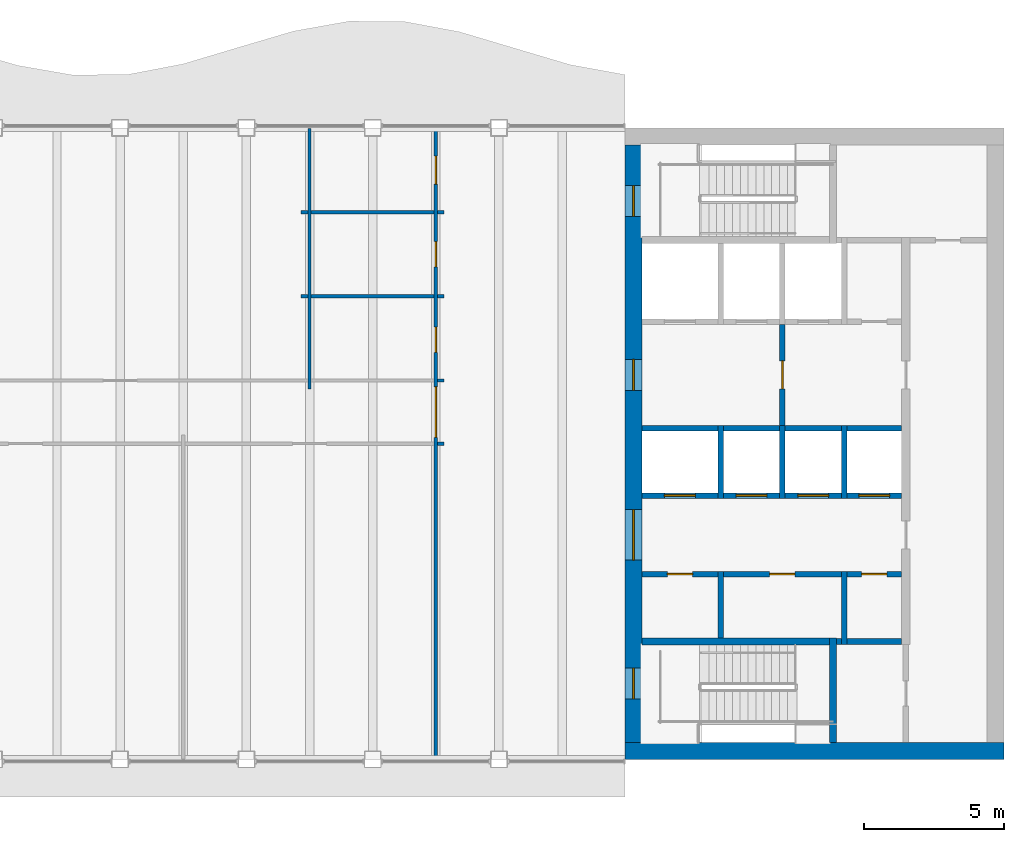
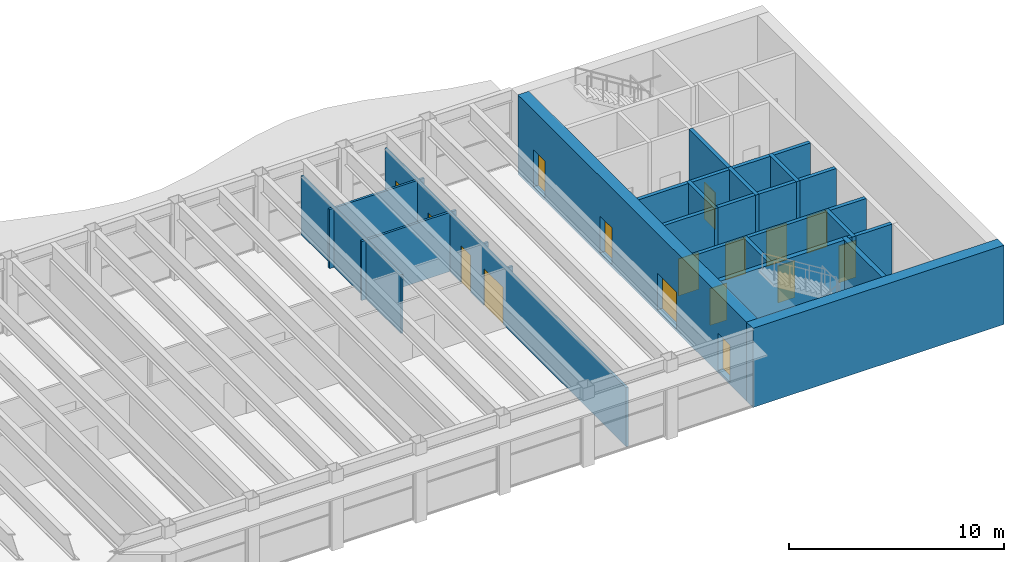
# One storey, part 10 of 15: 33 walls, 16 doors, 16 openings.
"""IFC4 building model written with IfcOpenShell, lengths in metres."""

from ifc_helpers import new_model, si_unit, direction, frame, frame_2d, origin, place, context, subcontext, project, spatial, rectangle, extrude, material, layer, layer_set, type_object, element, fill, save


model = new_model("IFC4")

# Units and contexts
model_context = context("Model", 3, precision=1e-05, world=origin(), true_north=direction((0.0, 1.0)))
body_context = subcontext(model_context, "Body", "Model", "MODEL_VIEW")
ifc_project = project(units=[si_unit("LENGTHUNIT", "METRE"), si_unit("AREAUNIT", "SQUARE_METRE"), si_unit("VOLUMEUNIT", "CUBIC_METRE"), si_unit("PLANEANGLEUNIT", "RADIAN"), si_unit("MASSUNIT", "GRAM", prefix="KILO")], contexts=[model_context])

# Site, building, storey
site_placement = place(None, origin())
site = spatial("IfcSite", under=ifc_project, at=site_placement, CompositionType="ELEMENT")
building_placement = place(site_placement, origin())
building = spatial("IfcBuilding", under=site, at=building_placement, Name="Sennacour Bend Tower", CompositionType="ELEMENT")
storey_placement = place(building_placement, frame((0.0, 0.0, 323.0)))
storey = spatial("IfcBuildingStorey", under=building, at=storey_placement, Name="L74", CompositionType="ELEMENT", Elevation=323.0)

# Wall
ifc_material_1 = material(Name="Concrete C50/60", Category="concrete")
ifc_layer_1 = layer(ifc_material_1, 0.60009765625, Name="Concrete C50/60", Category="concrete")
ifc_layer_set_1 = layer_set([ifc_layer_1], Name="Concrete C50/60")
wall_type_1 = type_object("IfcWallType", Name="Core wall 600 C50/60", PredefinedType="SHEAR", material=ifc_layer_set_1)
wall_1_placement = place(storey_placement, frame((67.5, 0.300048828125, -0.14990234375), z_axis=(0.0, 0.0, 1.0), x_axis=(-1.0, 0.0, 0.0)))
element("IfcWall", 1, at=wall_1_placement, inside=storey, type_object=wall_type_1, Name="Core A wall L74 S", PredefinedType="SHEAR", context=body_context, shape_type="SweptSolid", body=[
    extrude(rectangle(XDim=13.5, YDim=0.60009765625, at=frame_2d((6.75, 0.0))), origin(), (0.0, 0.0, 1.0), 4.5),
])

# Wall, openings, doors
wall_2_placement = place(storey_placement, frame((54.300048828125, 0.60009765625, -0.14990234375), z_axis=(0.0, 0.0, 1.0), x_axis=(0.0, 1.0, 0.0)))
wall_2 = element("IfcWall", 2, at=wall_2_placement, inside=storey, type_object=wall_type_1, Name="Core A wall L74 W", PredefinedType="SHEAR", context=body_context, shape_type="SweptSolid", body=[
    extrude(rectangle(XDim=21.2998046875, YDim=0.60009765625, at=frame_2d((10.64990234375, 0.0))), origin(), (0.0, 0.0, 1.0), 4.5),
])
opening_1_placement = place(wall_2_placement, frame((6.5, 0.0, 0.14990234375)))
opening_1 = element("IfcOpeningElement", 3, at=opening_1_placement, cuts=wall_2, Name="Opening CD", PredefinedType="OPENING", context=body_context, shape_type="SweptSolid", body=[
    extrude(rectangle(XDim=1.800048828125, YDim=2.10009765625, at=frame_2d((0.89990234375, 1.050048828125))), frame((0.0, 0.31005859375, 0.0), z_axis=(0.0, -1.0, 0.0), x_axis=(1.0, 0.0, 0.0)), (0.0, 0.0, 1.0), 0.6201171875),
])
opening_2_placement = place(wall_2_placement, frame((12.550048828125, 0.0, 0.14990234375)))
opening_2 = element("IfcOpeningElement", 4, at=opening_2_placement, cuts=wall_2, Name="Opening FD", PredefinedType="OPENING", context=body_context, shape_type="SweptSolid", body=[
    extrude(rectangle(XDim=1.10009765625, YDim=2.10009765625, at=frame_2d((0.550048828125, 1.050048828125))), frame((0.0, 0.31005859375, 0.0), z_axis=(0.0, -1.0, 0.0), x_axis=(1.0, 0.0, 0.0)), (0.0, 0.0, 1.0), 0.6201171875),
])
opening_3_placement = place(wall_2_placement, frame((1.550048828125, 0.0, 0.14990234375)))
opening_3 = element("IfcOpeningElement", 5, at=opening_3_placement, cuts=wall_2, Name="Opening SD", PredefinedType="OPENING", context=body_context, shape_type="SweptSolid", body=[
    extrude(rectangle(XDim=1.10009765625, YDim=2.10009765625, at=frame_2d((0.550048828125, 1.050048828125))), frame((0.0, 0.31005859375, 0.0), z_axis=(0.0, -1.0, 0.0), x_axis=(1.0, 0.0, 0.0)), (0.0, 0.0, 1.0), 0.6201171875),
])
opening_4_placement = place(wall_2_placement, frame((18.75, 0.0, 0.14990234375)))
opening_4 = element("IfcOpeningElement", 6, at=opening_4_placement, cuts=wall_2, Name="Opening SD", PredefinedType="OPENING", context=body_context, shape_type="SweptSolid", body=[
    extrude(rectangle(XDim=1.10009765625, YDim=2.10009765625, at=frame_2d((0.550048828125, 1.050048828125))), frame((0.0, 0.31005859375, 0.0), z_axis=(0.0, -1.0, 0.0), x_axis=(1.0, 0.0, 0.0)), (0.0, 0.0, 1.0), 0.6201171875),
])
ifc_material_2 = material(Name="Painted steel", Category="steel")
door_type_1 = type_object("IfcDoorType", Name="DR-FFL-1100", OperationType="NOTDEFINED", PredefinedType="DOOR", material=ifc_material_2)
door_1_placement = place(opening_2_placement, origin())
door_1 = element("IfcDoor", 7, at=door_1_placement, inside=storey, type_object=door_type_1, Name="Door", OperationType="SINGLE_SWING_RIGHT", OverallHeight=2.10009765625, OverallWidth=1.10009765625, PredefinedType="DOOR", context=body_context, shape_type="SweptSolid", body=[
    extrude(rectangle(XDim=1.10009765625, YDim=2.10009765625, at=frame_2d((0.550048828125, 1.050048828125))), frame((0.0, 0.02490234375, 0.0), z_axis=(0.0, -1.0, 0.0), x_axis=(1.0, 0.0, 0.0)), (0.0, 0.0, 1.0), 0.050048828125),
])
fill(opening_2, door_1)
door_type_2 = type_object("IfcDoorType", Name="DR-LOBBY-1800", OperationType="NOTDEFINED", PredefinedType="DOOR", material=ifc_material_2)
door_2_placement = place(opening_1_placement, origin())
door_2 = element("IfcDoor", 8, at=door_2_placement, inside=storey, type_object=door_type_2, Name="Door", OperationType="DOUBLE_DOOR_SINGLE_SWING", OverallHeight=2.10009765625, OverallWidth=1.800048828125, PredefinedType="DOOR", context=body_context, shape_type="SweptSolid", body=[
    extrude(rectangle(XDim=1.800048828125, YDim=2.10009765625, at=frame_2d((0.89990234375, 1.050048828125))), frame((0.0, 0.02490234375, 0.0), z_axis=(0.0, -1.0, 0.0), x_axis=(1.0, 0.0, 0.0)), (0.0, 0.0, 1.0), 0.050048828125),
])
fill(opening_1, door_2)
door_type_3 = type_object("IfcDoorType", Name="DR-STAIR-1100", OperationType="NOTDEFINED", PredefinedType="DOOR", material=ifc_material_2)
door_3_placement = place(opening_3_placement, origin())
door_3 = element("IfcDoor", 9, at=door_3_placement, inside=storey, type_object=door_type_3, Name="Door", OperationType="SINGLE_SWING_LEFT", OverallHeight=2.10009765625, OverallWidth=1.10009765625, PredefinedType="DOOR", context=body_context, shape_type="SweptSolid", body=[
    extrude(rectangle(XDim=1.10009765625, YDim=2.10009765625, at=frame_2d((0.550048828125, 1.050048828125))), frame((0.0, 0.02490234375, 0.0), z_axis=(0.0, -1.0, 0.0), x_axis=(1.0, 0.0, 0.0)), (0.0, 0.0, 1.0), 0.050048828125),
])
fill(opening_3, door_3)
door_4_placement = place(opening_4_placement, origin())
door_4 = element("IfcDoor", 10, at=door_4_placement, inside=storey, type_object=door_type_3, Name="Door", OperationType="SINGLE_SWING_RIGHT", OverallHeight=2.10009765625, OverallWidth=1.10009765625, PredefinedType="DOOR", context=body_context, shape_type="SweptSolid", body=[
    extrude(rectangle(XDim=1.10009765625, YDim=2.10009765625, at=frame_2d((0.550048828125, 1.050048828125))), frame((0.0, 0.02490234375, 0.0), z_axis=(0.0, -1.0, 0.0), x_axis=(1.0, 0.0, 0.0)), (0.0, 0.0, 1.0), 0.050048828125),
])
fill(opening_4, door_4)

# Walls
ifc_material_3 = material(Name="Plasterboard partition on steel studs", Category="steel")
ifc_layer_2 = layer(ifc_material_3, 0.1201171875, Name="Plasterboard partition on steel studs", Category="steel")
ifc_layer_set_2 = layer_set([ifc_layer_2], Name="Plasterboard partition on steel studs")
wall_type_2 = type_object("IfcWallType", Name="Partition 120", PredefinedType="PARTITIONING", material=ifc_layer_set_2)
wall_3_placement = place(storey_placement, frame((42.75, 13.199951171875, 0.0), z_axis=(0.0, 0.0, 1.0), x_axis=(0.0, 1.0, 0.0)))
element("IfcWall", 11, at=wall_3_placement, inside=storey, type_object=wall_type_2, Name="P-L74-W012a", PredefinedType="PARTITIONING", context=body_context, shape_type="SweptSolid", body=[
    extrude(rectangle(XDim=9.2900390625, YDim=0.1201171875, at=frame_2d((4.64501953125, 0.0))), origin(), (0.0, 0.0, 1.0), 3.35888671875),
])
for number, where, z_axis, x_axis, name in (
    (12, (47.31005859375, 11.25, 0.0), (0.0, 0.0, 1.0), (1.0, 0.0, 0.0), "P-L74-W036af"),
    (13, (47.31005859375, 13.5, 0.0), (0.0, 0.0, 1.0), (1.0, 0.0, 0.0), "P-L74-W038ag"),
    (14, (42.449951171875, 16.5, 0.0), (0.0, 0.0, 1.0), (1.0, 0.0, 0.0), "P-L74-W041aa"),
):
    element("IfcWall", number, at=place(storey_placement, frame(where, z_axis=z_axis, x_axis=x_axis)), inside=storey, type_object=wall_type_2, Name=name, PredefinedType="PARTITIONING", context=body_context, shape_type="SweptSolid", body=[
        extrude(rectangle(XDim=0.239990234375, YDim=0.1201171875, at=frame_2d((0.1201171875, 0.0))), origin(), (0.0, 0.0, 1.0), 3.35888671875),
    ])
wall_4_placement = place(storey_placement, frame((42.81005859375, 16.5, 0.0), z_axis=(0.0, 0.0, 1.0), x_axis=(1.0, 0.0, 0.0)))
element("IfcWall", 15, at=wall_4_placement, inside=storey, type_object=wall_type_2, Name="P-L74-W041ab", PredefinedType="PARTITIONING", context=body_context, shape_type="SweptSolid", body=[
    extrude(rectangle(XDim=4.3798828125, YDim=0.1201171875, at=frame_2d((2.18994140625, 0.0))), origin(), (0.0, 0.0, 1.0), 3.35888671875),
])
for number, where, z_axis, x_axis, name in (
    (16, (47.31005859375, 16.5, 0.0), (0.0, 0.0, 1.0), (1.0, 0.0, 0.0), "P-L74-W041ac"),
    (17, (42.449951171875, 19.5, 0.0), (0.0, 0.0, 1.0), (1.0, 0.0, 0.0), "P-L74-W045aa"),
):
    element("IfcWall", number, at=place(storey_placement, frame(where, z_axis=z_axis, x_axis=x_axis)), inside=storey, type_object=wall_type_2, Name=name, PredefinedType="PARTITIONING", context=body_context, shape_type="SweptSolid", body=[
        extrude(rectangle(XDim=0.239990234375, YDim=0.1201171875, at=frame_2d((0.1201171875, 0.0))), origin(), (0.0, 0.0, 1.0), 3.35888671875),
    ])
wall_5_placement = place(storey_placement, frame((42.81005859375, 19.5, 0.0), z_axis=(0.0, 0.0, 1.0), x_axis=(1.0, 0.0, 0.0)))
element("IfcWall", 18, at=wall_5_placement, inside=storey, type_object=wall_type_2, Name="P-L74-W045ab", PredefinedType="PARTITIONING", context=body_context, shape_type="SweptSolid", body=[
    extrude(rectangle(XDim=4.3798828125, YDim=0.1201171875, at=frame_2d((2.18994140625, 0.0))), origin(), (0.0, 0.0, 1.0), 3.35888671875),
])
wall_6_placement = place(storey_placement, frame((47.31005859375, 19.5, 0.0), z_axis=(0.0, 0.0, 1.0), x_axis=(1.0, 0.0, 0.0)))
element("IfcWall", 19, at=wall_6_placement, inside=storey, type_object=wall_type_2, Name="P-L74-W045ac", PredefinedType="PARTITIONING", context=body_context, shape_type="SweptSolid", body=[
    extrude(rectangle(XDim=0.239990234375, YDim=0.1201171875, at=frame_2d((0.1201171875, 0.0))), origin(), (0.0, 0.0, 1.0), 3.35888671875),
])

# Wall, openings, doors
ifc_layer_3 = layer(ifc_material_3, 0.1201171875, Name="Plasterboard partition on steel studs", Category="steel")
ifc_layer_set_3 = layer_set([ifc_layer_3], Name="Plasterboard partition on steel studs")
wall_type_3 = type_object("IfcWallType", Name="Partition 120 EI 30", PredefinedType="PARTITIONING", material=ifc_layer_set_3)
wall_7_placement = place(storey_placement, frame((47.25, 0.010009765625, 0.0), z_axis=(0.0, 0.0, 1.0), x_axis=(0.0, 1.0, 0.0)))
wall_7 = element("IfcWall", 20, at=wall_7_placement, inside=storey, type_object=wall_type_3, Name="P-L74-W013a", PredefinedType="PARTITIONING", context=body_context, shape_type="SweptSolid", body=[
    extrude(rectangle(XDim=22.47998046875, YDim=0.1201171875, at=frame_2d((11.239990234375, 0.0))), origin(), (0.0, 0.0, 1.0), 3.35888671875),
])
opening_5_placement = place(wall_7_placement, frame((11.465087890625, 0.0, 0.0)))
opening_5 = element("IfcOpeningElement", 21, at=opening_5_placement, cuts=wall_7, Name="Opening KD3", PredefinedType="OPENING", context=body_context, shape_type="SweptSolid", body=[
    extrude(rectangle(XDim=1.800048828125, YDim=2.10009765625, at=frame_2d((0.89990234375, 1.050048828125))), frame((0.0, 0.070068359375, 0.0), z_axis=(0.0, -1.0, 0.0), x_axis=(1.0, 0.0, 0.0)), (0.0, 0.0, 1.0), 0.14013671875),
])
opening_6_placement = place(wall_7_placement, frame((14.489990234375, 0.0, 0.0)))
opening_6 = element("IfcOpeningElement", 22, at=opening_6_placement, cuts=wall_7, Name="Opening WD", PredefinedType="OPENING", context=body_context, shape_type="SweptSolid", body=[
    extrude(rectangle(XDim=0.89990234375, YDim=2.10009765625, at=frame_2d((0.449951171875, 1.050048828125))), frame((0.0, 0.070068359375, 0.0), z_axis=(0.0, -1.0, 0.0), x_axis=(1.0, 0.0, 0.0)), (0.0, 0.0, 1.0), 0.14013671875),
])
opening_7_placement = place(wall_7_placement, frame((17.5400390625, 0.0, 0.0)))
opening_7 = element("IfcOpeningElement", 23, at=opening_7_placement, cuts=wall_7, Name="Opening WD", PredefinedType="OPENING", context=body_context, shape_type="SweptSolid", body=[
    extrude(rectangle(XDim=0.89990234375, YDim=2.10009765625, at=frame_2d((0.449951171875, 1.050048828125))), frame((0.0, 0.070068359375, 0.0), z_axis=(0.0, -1.0, 0.0), x_axis=(1.0, 0.0, 0.0)), (0.0, 0.0, 1.0), 0.14013671875),
])
opening_8_placement = place(wall_7_placement, frame((20.489990234375, 0.0, 0.0)))
opening_8 = element("IfcOpeningElement", 24, at=opening_8_placement, cuts=wall_7, Name="Opening AD", PredefinedType="OPENING", context=body_context, shape_type="SweptSolid", body=[
    extrude(rectangle(XDim=1.0, YDim=2.10009765625, at=frame_2d((0.5, 1.050048828125))), frame((0.0, 0.070068359375, 0.0), z_axis=(0.0, -1.0, 0.0), x_axis=(1.0, 0.0, 0.0)), (0.0, 0.0, 1.0), 0.14013671875),
])
ifc_material_4 = material(Name="Timber", Category="wood")
door_type_4 = type_object("IfcDoorType", Name="DR-ACC-WC-1000", OperationType="NOTDEFINED", PredefinedType="DOOR", material=ifc_material_4)
door_5_placement = place(opening_8_placement, origin())
door_5 = element("IfcDoor", 25, at=door_5_placement, inside=storey, type_object=door_type_4, Name="Door", OperationType="SINGLE_SWING_RIGHT", OverallHeight=2.10009765625, OverallWidth=1.0, PredefinedType="DOOR", context=body_context, shape_type="SweptSolid", body=[
    extrude(rectangle(XDim=1.0, YDim=2.10009765625, at=frame_2d((0.5, 1.050048828125))), frame((0.0, 0.02490234375, 0.0), z_axis=(0.0, -1.0, 0.0), x_axis=(1.0, 0.0, 0.0)), (0.0, 0.0, 1.0), 0.050048828125),
])
fill(opening_8, door_5)
door_type_5 = type_object("IfcDoorType", Name="DR-CORRIDOR-1800", OperationType="NOTDEFINED", PredefinedType="DOOR", material=ifc_material_2)
door_6_placement = place(opening_5_placement, origin())
door_6 = element("IfcDoor", 26, at=door_6_placement, inside=storey, type_object=door_type_5, Name="Door", OperationType="DOUBLE_DOOR_SINGLE_SWING", OverallHeight=2.10009765625, OverallWidth=1.800048828125, PredefinedType="DOOR", context=body_context, shape_type="SweptSolid", body=[
    extrude(rectangle(XDim=1.800048828125, YDim=2.10009765625, at=frame_2d((0.89990234375, 1.050048828125))), frame((0.0, 0.02490234375, 0.0), z_axis=(0.0, -1.0, 0.0), x_axis=(1.0, 0.0, 0.0)), (0.0, 0.0, 1.0), 0.050048828125),
])
fill(opening_5, door_6)
door_type_6 = type_object("IfcDoorType", Name="DR-WC-900", OperationType="NOTDEFINED", PredefinedType="DOOR", material=ifc_material_4)
door_7_placement = place(opening_6_placement, origin())
door_7 = element("IfcDoor", 27, at=door_7_placement, inside=storey, type_object=door_type_6, Name="Door", OperationType="SINGLE_SWING_RIGHT", OverallHeight=2.10009765625, OverallWidth=0.89990234375, PredefinedType="DOOR", context=body_context, shape_type="SweptSolid", body=[
    extrude(rectangle(XDim=0.89990234375, YDim=2.10009765625, at=frame_2d((0.449951171875, 1.050048828125))), frame((0.0, 0.02490234375, 0.0), z_axis=(0.0, -1.0, 0.0), x_axis=(1.0, 0.0, 0.0)), (0.0, 0.0, 1.0), 0.050048828125),
])
fill(opening_6, door_7)
door_8_placement = place(opening_7_placement, origin())
door_8 = element("IfcDoor", 28, at=door_8_placement, inside=storey, type_object=door_type_6, Name="Door", OperationType="SINGLE_SWING_RIGHT", OverallHeight=2.10009765625, OverallWidth=0.89990234375, PredefinedType="DOOR", context=body_context, shape_type="SweptSolid", body=[
    extrude(rectangle(XDim=0.89990234375, YDim=2.10009765625, at=frame_2d((0.449951171875, 1.050048828125))), frame((0.0, 0.02490234375, 0.0), z_axis=(0.0, -1.0, 0.0), x_axis=(1.0, 0.0, 0.0)), (0.0, 0.0, 1.0), 0.050048828125),
])
fill(opening_7, door_8)

# Walls
ifc_material_5 = material(Name="Fire-rated plasterboard partition on steel studs", Category="steel")
ifc_layer_4 = layer(ifc_material_5, 0.199951171875, Name="Fire-rated plasterboard partition on steel studs", Category="steel")
ifc_layer_set_4 = layer_set([ifc_layer_4], Name="Fire-rated plasterboard partition on steel studs")
wall_type_4 = type_object("IfcWallType", Name="Rated partition 200", PredefinedType="PARTITIONING", material=ifc_layer_set_4)
wall_8_placement = place(storey_placement, frame((57.39990234375, 4.324951171875, 0.0), z_axis=(0.0, 0.0, 1.0), x_axis=(0.0, 1.0, 0.0)))
element("IfcWall", 29, at=wall_8_placement, inside=storey, type_object=wall_type_4, Name="P-L74-W014", PredefinedType="PARTITIONING", context=body_context, shape_type="SweptSolid", body=[
    extrude(rectangle(XDim=2.375, YDim=0.199951171875, at=frame_2d((1.1875, 0.0))), origin(), (0.0, 0.0, 1.0), 4.35009765625),
])
wall_9_placement = place(storey_placement, frame((61.800048828125, 4.10009765625, 0.0), z_axis=(0.0, 0.0, 1.0), x_axis=(0.0, 1.0, 0.0)))
element("IfcWall", 30, at=wall_9_placement, inside=storey, type_object=wall_type_4, Name="P-L74-W022", PredefinedType="PARTITIONING", context=body_context, shape_type="SweptSolid", body=[
    extrude(rectangle(XDim=2.599853515625, YDim=0.199951171875, at=frame_2d((1.2998046875, 0.0))), origin(), (0.0, 0.0, 1.0), 4.35009765625),
])
wall_10_placement = place(storey_placement, frame((61.52490234375, 4.199951171875, 0.0), z_axis=(0.0, 0.0, 1.0), x_axis=(1.0, 0.0, 0.0)))
element("IfcWall", 31, at=wall_10_placement, inside=storey, type_object=wall_type_4, Name="P-L74-W033a", PredefinedType="PARTITIONING", context=body_context, shape_type="SweptSolid", body=[
    extrude(rectangle(XDim=0.175048828125, YDim=0.199951171875, at=frame_2d((0.08740234375, 0.0))), origin(), (0.0, 0.0, 1.0), 4.35009765625),
])
wall_11_placement = place(storey_placement, frame((61.89990234375, 4.199951171875, 0.0), z_axis=(0.0, 0.0, 1.0), x_axis=(1.0, 0.0, 0.0)))
element("IfcWall", 32, at=wall_11_placement, inside=storey, type_object=wall_type_4, Name="P-L74-W033b", PredefinedType="PARTITIONING", context=body_context, shape_type="SweptSolid", body=[
    extrude(rectangle(XDim=1.9501953125, YDim=0.199951171875, at=frame_2d((0.97509765625, 0.0))), origin(), (0.0, 0.0, 1.0), 4.35009765625),
])

# Wall, opening, door
wall_12_placement = place(storey_placement, frame((54.60009765625, 6.60009765625, 0.0), z_axis=(0.0, 0.0, 1.0), x_axis=(1.0, 0.0, 0.0)))
wall_12 = element("IfcWall", 33, at=wall_12_placement, inside=storey, type_object=wall_type_4, Name="P-L74-W034a", PredefinedType="PARTITIONING", context=body_context, shape_type="SweptSolid", body=[
    extrude(rectangle(XDim=2.699951171875, YDim=0.199951171875, at=frame_2d((1.35009765625, 0.0))), origin(), (0.0, 0.0, 1.0), 4.35009765625),
])
opening_9_placement = place(wall_12_placement, frame((0.89990234375, 0.0, 0.0)))
opening_9 = element("IfcOpeningElement", 34, at=opening_9_placement, cuts=wall_12, Name="Opening SV", PredefinedType="OPENING", context=body_context, shape_type="SweptSolid", body=[
    extrude(rectangle(XDim=0.89990234375, YDim=2.10009765625, at=frame_2d((0.449951171875, 1.050048828125))), frame((0.0, 0.10986328125, 0.0), z_axis=(0.0, -1.0, 0.0), x_axis=(1.0, 0.0, 0.0)), (0.0, 0.0, 1.0), 0.219970703125),
])
door_type_7 = type_object("IfcDoorType", Name="DR-SERVICE-900", OperationType="NOTDEFINED", PredefinedType="DOOR", material=ifc_material_2)
door_9_placement = place(opening_9_placement, origin())
door_9 = element("IfcDoor", 35, at=door_9_placement, inside=storey, type_object=door_type_7, Name="Door", OperationType="SINGLE_SWING_LEFT", OverallHeight=2.10009765625, OverallWidth=0.89990234375, PredefinedType="DOOR", context=body_context, shape_type="SweptSolid", body=[
    extrude(rectangle(XDim=0.89990234375, YDim=2.10009765625, at=frame_2d((0.449951171875, 1.050048828125))), frame((0.0, 0.02490234375, 0.0), z_axis=(0.0, -1.0, 0.0), x_axis=(1.0, 0.0, 0.0)), (0.0, 0.0, 1.0), 0.050048828125),
])
fill(opening_9, door_9)

wall_13_placement = place(storey_placement, frame((57.5, 6.60009765625, 0.0), z_axis=(0.0, 0.0, 1.0), x_axis=(1.0, 0.0, 0.0)))
wall_13 = element("IfcWall", 36, at=wall_13_placement, inside=storey, type_object=wall_type_4, Name="P-L74-W034b", PredefinedType="PARTITIONING", context=body_context, shape_type="SweptSolid", body=[
    extrude(rectangle(XDim=4.199951171875, YDim=0.199951171875, at=frame_2d((2.10009765625, 0.0))), origin(), (0.0, 0.0, 1.0), 4.35009765625),
])
opening_10_placement = place(wall_13_placement, frame((1.64990234375, 0.0, 0.0)))
opening_10 = element("IfcOpeningElement", 37, at=opening_10_placement, cuts=wall_13, Name="Opening WD", PredefinedType="OPENING", context=body_context, shape_type="SweptSolid", body=[
    extrude(rectangle(XDim=0.89990234375, YDim=2.10009765625, at=frame_2d((0.449951171875, 1.050048828125))), frame((0.0, 0.10986328125, 0.0), z_axis=(0.0, -1.0, 0.0), x_axis=(1.0, 0.0, 0.0)), (0.0, 0.0, 1.0), 0.219970703125),
])
door_10_placement = place(opening_10_placement, origin())
door_10 = element("IfcDoor", 38, at=door_10_placement, inside=storey, type_object=door_type_6, Name="Door", OperationType="SINGLE_SWING_RIGHT", OverallHeight=2.10009765625, OverallWidth=0.89990234375, PredefinedType="DOOR", context=body_context, shape_type="SweptSolid", body=[
    extrude(rectangle(XDim=0.89990234375, YDim=2.10009765625, at=frame_2d((0.449951171875, 1.050048828125))), frame((0.0, 0.02490234375, 0.0), z_axis=(0.0, -1.0, 0.0), x_axis=(1.0, 0.0, 0.0)), (0.0, 0.0, 1.0), 0.050048828125),
])
fill(opening_10, door_10)

wall_14_placement = place(storey_placement, frame((61.89990234375, 6.60009765625, 0.0), z_axis=(0.0, 0.0, 1.0), x_axis=(1.0, 0.0, 0.0)))
wall_14 = element("IfcWall", 39, at=wall_14_placement, inside=storey, type_object=wall_type_4, Name="P-L74-W034c", PredefinedType="PARTITIONING", context=body_context, shape_type="SweptSolid", body=[
    extrude(rectangle(XDim=1.9501953125, YDim=0.199951171875, at=frame_2d((0.97509765625, 0.0))), origin(), (0.0, 0.0, 1.0), 4.35009765625),
])
opening_11_placement = place(wall_14_placement, frame((0.525146484375, 0.0, 0.0)))
opening_11 = element("IfcOpeningElement", 40, at=opening_11_placement, cuts=wall_14, Name="Opening SV", PredefinedType="OPENING", context=body_context, shape_type="SweptSolid", body=[
    extrude(rectangle(XDim=0.89990234375, YDim=2.10009765625, at=frame_2d((0.449951171875, 1.050048828125))), frame((0.0, 0.10986328125, 0.0), z_axis=(0.0, -1.0, 0.0), x_axis=(1.0, 0.0, 0.0)), (0.0, 0.0, 1.0), 0.219970703125),
])
door_11_placement = place(opening_11_placement, origin())
door_11 = element("IfcDoor", 41, at=door_11_placement, inside=storey, type_object=door_type_7, Name="Door", OperationType="SINGLE_SWING_LEFT", OverallHeight=2.10009765625, OverallWidth=0.89990234375, PredefinedType="DOOR", context=body_context, shape_type="SweptSolid", body=[
    extrude(rectangle(XDim=0.89990234375, YDim=2.10009765625, at=frame_2d((0.449951171875, 1.050048828125))), frame((0.0, 0.02490234375, 0.0), z_axis=(0.0, -1.0, 0.0), x_axis=(1.0, 0.0, 0.0)), (0.0, 0.0, 1.0), 0.050048828125),
])
fill(opening_11, door_11)

ifc_layer_5 = layer(ifc_material_5, 0.199951171875, Name="Fire-rated plasterboard partition on steel studs", Category="steel")
ifc_layer_set_5 = layer_set([ifc_layer_5], Name="Fire-rated plasterboard partition on steel studs")
wall_type_5 = type_object("IfcWallType", Name="Rated partition 200 EI 90", PredefinedType="PARTITIONING", material=ifc_layer_set_5)
wall_15_placement = place(storey_placement, frame((59.60009765625, 11.89990234375, 0.0), z_axis=(0.0, 0.0, 1.0), x_axis=(0.0, 1.0, 0.0)))
wall_15 = element("IfcWall", 42, at=wall_15_placement, inside=storey, type_object=wall_type_5, Name="P-L74-W018", PredefinedType="PARTITIONING", context=body_context, shape_type="SweptSolid", body=[
    extrude(rectangle(XDim=3.60009765625, YDim=0.199951171875, at=frame_2d((1.800048828125, 0.0))), origin(), (0.0, 0.0, 1.0), 4.35009765625),
])
opening_12_placement = place(wall_15_placement, frame((1.300048828125, 0.0, 0.0)))
opening_12 = element("IfcOpeningElement", 43, at=opening_12_placement, cuts=wall_15, Name="Opening FD2", PredefinedType="OPENING", context=body_context, shape_type="SweptSolid", body=[
    extrude(rectangle(XDim=1.0, YDim=2.10009765625, at=frame_2d((0.5, 1.050048828125))), frame((0.0, 0.10986328125, 0.0), z_axis=(0.0, -1.0, 0.0), x_axis=(1.0, 0.0, 0.0)), (0.0, 0.0, 1.0), 0.219970703125),
])
door_type_8 = type_object("IfcDoorType", Name="DR-FFL-1000", OperationType="NOTDEFINED", PredefinedType="DOOR", material=ifc_material_2)
door_12_placement = place(opening_12_placement, origin())
door_12 = element("IfcDoor", 44, at=door_12_placement, inside=storey, type_object=door_type_8, Name="Door", OperationType="SINGLE_SWING_LEFT", OverallHeight=2.10009765625, OverallWidth=1.0, PredefinedType="DOOR", context=body_context, shape_type="SweptSolid", body=[
    extrude(rectangle(XDim=1.0, YDim=2.10009765625, at=frame_2d((0.5, 1.050048828125))), frame((0.0, 0.02490234375, 0.0), z_axis=(0.0, -1.0, 0.0), x_axis=(1.0, 0.0, 0.0)), (0.0, 0.0, 1.0), 0.050048828125),
])
fill(opening_12, door_12)

# Walls
ifc_layer_6 = layer(ifc_material_1, 0.199951171875, Name="Concrete C50/60", Category="concrete")
ifc_layer_set_6 = layer_set([ifc_layer_6], Name="Concrete C50/60")
wall_type_6 = type_object("IfcWallType", Name="Shaft wall 200", PredefinedType="SOLIDWALL", material=ifc_layer_set_6)
for number, where, z_axis, x_axis, name in (
    (45, (57.39990234375, 9.300048828125, 0.0), (0.0, 0.0, 1.0), (0.0, 1.0, 0.0), "P-L74-W015"),
    (46, (59.60009765625, 9.300048828125, 0.0), (0.0, 0.0, 1.0), (0.0, 1.0, 0.0), "P-L74-W017"),
    (47, (61.800048828125, 9.300048828125, 0.0), (0.0, 0.0, 1.0), (0.0, 1.0, 0.0), "P-L74-W023"),
):
    element("IfcWall", number, at=place(storey_placement, frame(where, z_axis=z_axis, x_axis=x_axis)), inside=storey, type_object=wall_type_6, Name=name, PredefinedType="SOLIDWALL", context=body_context, shape_type="SweptSolid", body=[
        extrude(rectangle(XDim=2.599853515625, YDim=0.199951171875, at=frame_2d((1.2998046875, 0.0))), origin(), (0.0, 0.0, 1.0), 4.35009765625),
    ])

# Wall, opening, door
wall_16_placement = place(storey_placement, frame((54.60009765625, 9.39990234375, 0.0), z_axis=(0.0, 0.0, 1.0), x_axis=(1.0, 0.0, 0.0)))
wall_16 = element("IfcWall", 48, at=wall_16_placement, inside=storey, type_object=wall_type_6, Name="P-L74-W035a", PredefinedType="SOLIDWALL", context=body_context, shape_type="SweptSolid", body=[
    extrude(rectangle(XDim=2.699951171875, YDim=0.199951171875, at=frame_2d((1.35009765625, 0.0))), origin(), (0.0, 0.0, 1.0), 4.35009765625),
])
opening_13_placement = place(wall_16_placement, frame((0.7998046875, 0.0, 0.011962890625)))
opening_13 = element("IfcOpeningElement", 49, at=opening_13_placement, cuts=wall_16, Name="Opening LD", PredefinedType="OPENING", context=body_context, shape_type="SweptSolid", body=[
    extrude(rectangle(XDim=1.10009765625, YDim=2.10009765625, at=frame_2d((0.550048828125, 1.050048828125))), frame((0.0, 0.10986328125, 0.0), z_axis=(0.0, -1.0, 0.0), x_axis=(1.0, 0.0, 0.0)), (0.0, 0.0, 1.0), 0.219970703125),
])
ifc_material_6 = material(Name="Stainless steel", Category="steel")
door_type_9 = type_object("IfcDoorType", Name="DR-LANDING-1100", OperationType="NOTDEFINED", PredefinedType="DOOR", material=ifc_material_6)
door_13_placement = place(opening_13_placement, origin())
door_13 = element("IfcDoor", 50, at=door_13_placement, inside=storey, type_object=door_type_9, Name="Lift landing door HA1", OperationType="SLIDING_TO_LEFT", OverallHeight=2.10009765625, OverallWidth=1.10009765625, PredefinedType="DOOR", context=body_context, shape_type="SweptSolid", body=[
    extrude(rectangle(XDim=1.10009765625, YDim=2.10009765625, at=frame_2d((0.550048828125, 1.050048828125))), frame((0.0, 0.02490234375, 0.0), z_axis=(0.0, -1.0, 0.0), x_axis=(1.0, 0.0, 0.0)), (0.0, 0.0, 1.0), 0.050048828125),
])
fill(opening_13, door_13)

wall_17_placement = place(storey_placement, frame((57.5, 9.39990234375, 0.0), z_axis=(0.0, 0.0, 1.0), x_axis=(1.0, 0.0, 0.0)))
wall_17 = element("IfcWall", 51, at=wall_17_placement, inside=storey, type_object=wall_type_6, Name="P-L74-W035b", PredefinedType="SOLIDWALL", context=body_context, shape_type="SweptSolid", body=[
    extrude(rectangle(XDim=2.0, YDim=0.199951171875, at=frame_2d((1.0, 0.0))), origin(), (0.0, 0.0, 1.0), 4.35009765625),
])
opening_14_placement = place(wall_17_placement, frame((0.449951171875, 0.0, 0.011962890625)))
opening_14 = element("IfcOpeningElement", 52, at=opening_14_placement, cuts=wall_17, Name="Opening LD", PredefinedType="OPENING", context=body_context, shape_type="SweptSolid", body=[
    extrude(rectangle(XDim=1.10009765625, YDim=2.10009765625, at=frame_2d((0.550048828125, 1.050048828125))), frame((0.0, 0.10986328125, 0.0), z_axis=(0.0, -1.0, 0.0), x_axis=(1.0, 0.0, 0.0)), (0.0, 0.0, 1.0), 0.219970703125),
])
door_14_placement = place(opening_14_placement, origin())
door_14 = element("IfcDoor", 53, at=door_14_placement, inside=storey, type_object=door_type_9, Name="Lift landing door HA2", OperationType="SLIDING_TO_RIGHT", OverallHeight=2.10009765625, OverallWidth=1.10009765625, PredefinedType="DOOR", context=body_context, shape_type="SweptSolid", body=[
    extrude(rectangle(XDim=1.10009765625, YDim=2.10009765625, at=frame_2d((0.550048828125, 1.050048828125))), frame((0.0, 0.02490234375, 0.0), z_axis=(0.0, -1.0, 0.0), x_axis=(1.0, 0.0, 0.0)), (0.0, 0.0, 1.0), 0.050048828125),
])
fill(opening_14, door_14)

wall_18_placement = place(storey_placement, frame((59.699951171875, 9.39990234375, 0.0), z_axis=(0.0, 0.0, 1.0), x_axis=(1.0, 0.0, 0.0)))
wall_18 = element("IfcWall", 54, at=wall_18_placement, inside=storey, type_object=wall_type_6, Name="P-L74-W035c", PredefinedType="SOLIDWALL", context=body_context, shape_type="SweptSolid", body=[
    extrude(rectangle(XDim=2.0, YDim=0.199951171875, at=frame_2d((1.0, 0.0))), origin(), (0.0, 0.0, 1.0), 4.35009765625),
])
opening_15_placement = place(wall_18_placement, frame((0.449951171875, 0.0, 0.011962890625)))
opening_15 = element("IfcOpeningElement", 55, at=opening_15_placement, cuts=wall_18, Name="Opening LD", PredefinedType="OPENING", context=body_context, shape_type="SweptSolid", body=[
    extrude(rectangle(XDim=1.10009765625, YDim=2.10009765625, at=frame_2d((0.550048828125, 1.050048828125))), frame((0.0, 0.10986328125, 0.0), z_axis=(0.0, -1.0, 0.0), x_axis=(1.0, 0.0, 0.0)), (0.0, 0.0, 1.0), 0.219970703125),
])
door_15_placement = place(opening_15_placement, origin())
door_15 = element("IfcDoor", 56, at=door_15_placement, inside=storey, type_object=door_type_9, Name="Lift landing door HA3", OperationType="SLIDING_TO_LEFT", OverallHeight=2.10009765625, OverallWidth=1.10009765625, PredefinedType="DOOR", context=body_context, shape_type="SweptSolid", body=[
    extrude(rectangle(XDim=1.10009765625, YDim=2.10009765625, at=frame_2d((0.550048828125, 1.050048828125))), frame((0.0, 0.02490234375, 0.0), z_axis=(0.0, -1.0, 0.0), x_axis=(1.0, 0.0, 0.0)), (0.0, 0.0, 1.0), 0.050048828125),
])
fill(opening_15, door_15)

wall_19_placement = place(storey_placement, frame((61.89990234375, 9.39990234375, 0.0), z_axis=(0.0, 0.0, 1.0), x_axis=(1.0, 0.0, 0.0)))
wall_19 = element("IfcWall", 57, at=wall_19_placement, inside=storey, type_object=wall_type_6, Name="P-L74-W035d", PredefinedType="SOLIDWALL", context=body_context, shape_type="SweptSolid", body=[
    extrude(rectangle(XDim=1.9501953125, YDim=0.199951171875, at=frame_2d((0.97509765625, 0.0))), origin(), (0.0, 0.0, 1.0), 4.35009765625),
])
opening_16_placement = place(wall_19_placement, frame((0.425048828125, 0.0, 0.011962890625)))
opening_16 = element("IfcOpeningElement", 58, at=opening_16_placement, cuts=wall_19, Name="Opening LD", PredefinedType="OPENING", context=body_context, shape_type="SweptSolid", body=[
    extrude(rectangle(XDim=1.10009765625, YDim=2.10009765625, at=frame_2d((0.550048828125, 1.050048828125))), frame((0.0, 0.10986328125, 0.0), z_axis=(0.0, -1.0, 0.0), x_axis=(1.0, 0.0, 0.0)), (0.0, 0.0, 1.0), 0.219970703125),
])
door_16_placement = place(opening_16_placement, origin())
door_16 = element("IfcDoor", 59, at=door_16_placement, inside=storey, type_object=door_type_9, Name="Lift landing door HA4", OperationType="SLIDING_TO_RIGHT", OverallHeight=2.10009765625, OverallWidth=1.10009765625, PredefinedType="DOOR", context=body_context, shape_type="SweptSolid", body=[
    extrude(rectangle(XDim=1.10009765625, YDim=2.10009765625, at=frame_2d((0.550048828125, 1.050048828125))), frame((0.0, 0.02490234375, 0.0), z_axis=(0.0, -1.0, 0.0), x_axis=(1.0, 0.0, 0.0)), (0.0, 0.0, 1.0), 0.050048828125),
])
fill(opening_16, door_16)

# Walls
wall_20_placement = place(storey_placement, frame((54.60009765625, 11.800048828125, 0.0), z_axis=(0.0, 0.0, 1.0), x_axis=(1.0, 0.0, 0.0)))
element("IfcWall", 60, at=wall_20_placement, inside=storey, type_object=wall_type_6, Name="P-L74-W037a", PredefinedType="SOLIDWALL", context=body_context, shape_type="SweptSolid", body=[
    extrude(rectangle(XDim=2.699951171875, YDim=0.199951171875, at=frame_2d((1.35009765625, 0.0))), origin(), (0.0, 0.0, 1.0), 4.35009765625),
])
for number, where, z_axis, x_axis, name in (
    (61, (57.5, 11.800048828125, 0.0), (0.0, 0.0, 1.0), (1.0, 0.0, 0.0), "P-L74-W037b"),
    (62, (59.699951171875, 11.800048828125, 0.0), (0.0, 0.0, 1.0), (1.0, 0.0, 0.0), "P-L74-W037c"),
):
    element("IfcWall", number, at=place(storey_placement, frame(where, z_axis=z_axis, x_axis=x_axis)), inside=storey, type_object=wall_type_6, Name=name, PredefinedType="SOLIDWALL", context=body_context, shape_type="SweptSolid", body=[
        extrude(rectangle(XDim=2.0, YDim=0.199951171875, at=frame_2d((1.0, 0.0))), origin(), (0.0, 0.0, 1.0), 4.35009765625),
    ])
wall_21_placement = place(storey_placement, frame((61.89990234375, 11.800048828125, 0.0), z_axis=(0.0, 0.0, 1.0), x_axis=(1.0, 0.0, 0.0)))
element("IfcWall", 63, at=wall_21_placement, inside=storey, type_object=wall_type_6, Name="P-L74-W037d", PredefinedType="SOLIDWALL", context=body_context, shape_type="SweptSolid", body=[
    extrude(rectangle(XDim=1.9501953125, YDim=0.199951171875, at=frame_2d((0.97509765625, 0.0))), origin(), (0.0, 0.0, 1.0), 4.35009765625),
])
ifc_material_7 = material(Name="Concrete C60/75", Category="concrete")
ifc_layer_7 = layer(ifc_material_7, 0.25, Name="Concrete C60/75", Category="concrete")
ifc_layer_set_7 = layer_set([ifc_layer_7], Name="Concrete C60/75")
wall_type_7 = type_object("IfcWallType", Name="Stair wall 250", PredefinedType="SHEAR", material=ifc_layer_set_7)
wall_22_placement = place(storey_placement, frame((61.39990234375, 0.60009765625, 0.0), z_axis=(0.0, 0.0, 1.0), x_axis=(0.0, 1.0, 0.0)))
element("IfcWall", 64, at=wall_22_placement, inside=storey, type_object=wall_type_7, Name="P-L74-W020", PredefinedType="SHEAR", context=body_context, shape_type="SweptSolid", body=[
    extrude(rectangle(XDim=3.724853515625, YDim=0.25, at=frame_2d((1.8623046875, 0.0))), origin(), (0.0, 0.0, 1.0), 4.35009765625),
])
wall_23_placement = place(storey_placement, frame((54.60009765625, 4.199951171875, 0.0), z_axis=(0.0, 0.0, 1.0), x_axis=(1.0, 0.0, 0.0)))
element("IfcWall", 65, at=wall_23_placement, inside=storey, type_object=wall_type_7, Name="P-L74-W032", PredefinedType="SHEAR", context=body_context, shape_type="SweptSolid", body=[
    extrude(rectangle(XDim=6.6748046875, YDim=0.25, at=frame_2d((3.33740234375, 0.0))), origin(), (0.0, 0.0, 1.0), 4.35009765625),
])

save(model, "model.ifc")
